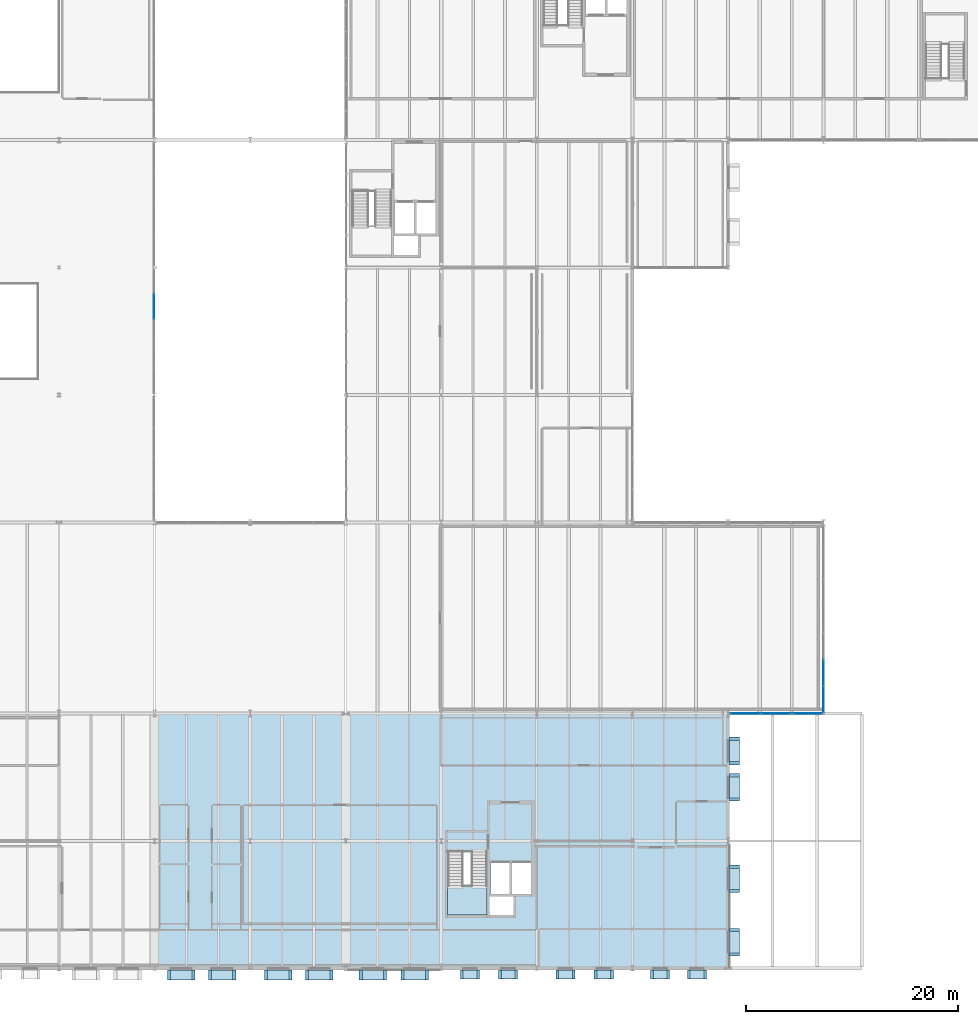
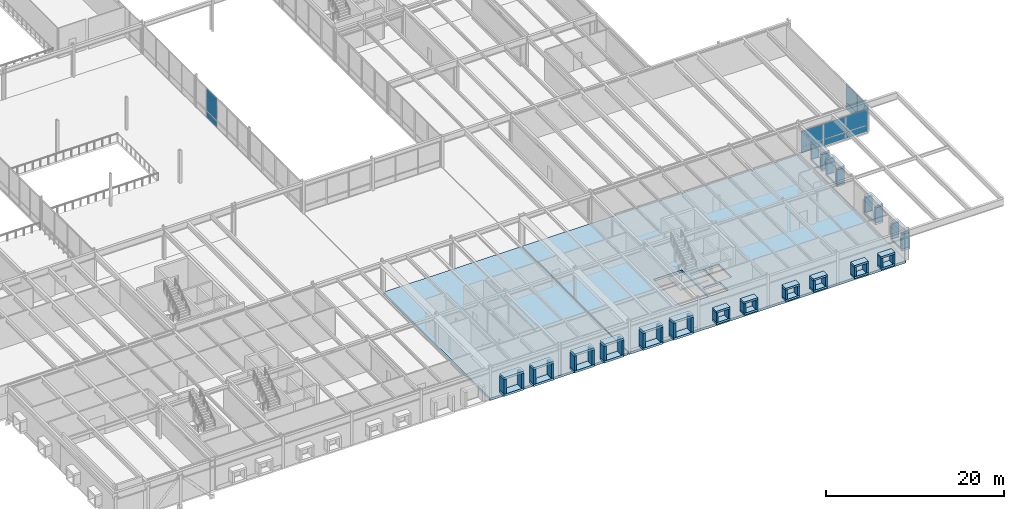
# One storey, part 91 of 115: 76 plates, 3 slabs, 4 elements without a shape of their own.
"""IFC4 building model written with IfcOpenShell, lengths in metres."""

from ifc_helpers import new_model, si_unit, direction, frame, origin, origin_2d, place, context, subcontext, project, spatial, polyline, rectangle, outline, extrude, material, layer, layer_set, type_object, element, aggregate, save


model = new_model("IFC4")

# Units and contexts
model_context = context("Model", 3, precision=1e-05, world=origin(), true_north=direction((0.0, 1.0)))
body_context = subcontext(model_context, "Body", "Model", "MODEL_VIEW")
ifc_project = project(units=[si_unit("LENGTHUNIT", "METRE"), si_unit("AREAUNIT", "SQUARE_METRE"), si_unit("VOLUMEUNIT", "CUBIC_METRE"), si_unit("PLANEANGLEUNIT", "RADIAN"), si_unit("MASSUNIT", "GRAM", prefix="KILO")], contexts=[model_context])

# Site, building, storey
site_placement = place(None, origin())
site = spatial("IfcSite", under=ifc_project, at=site_placement, CompositionType="ELEMENT")
building_placement = place(site_placement, origin())
building = spatial("IfcBuilding", under=site, at=building_placement, Name="Montelvaro Courts of Justice", CompositionType="ELEMENT")
storey_placement = place(building_placement, frame((0.0, 0.0, 9.89990234375)))
storey = spatial("IfcBuildingStorey", under=building, at=storey_placement, Name="L02", CompositionType="ELEMENT", Elevation=9.89990234375)

# Curtain wall, plates
ifc_material_1 = material(Name="Anodised aluminium EN AW-6063", Category="aluminium")
ifc_layer_1 = layer(ifc_material_1, 0.159912109375)
ifc_layer_set_1 = layer_set([ifc_layer_1], Name="Anodised aluminium EN AW-6063")
curtain_wall_type_1 = type_object("IfcCurtainWallType", Name="CurtainWall_24_1169x418", PredefinedType="USERDEFINED", material=ifc_layer_set_1)
curtain_wall_1_placement = place(storey_placement, origin())
curtain_wall_1 = element("IfcCurtainWall", 1, at=curtain_wall_1_placement, inside=storey, type_object=curtain_wall_type_1, Name="Curtain Wall CW-24 (L02)", ObjectType="CURTAIN WALL", PredefinedType="USERDEFINED")
ifc_material_2 = material(Name="Low-E solar control double glazing", Category="glass")
ifc_layer_2 = layer(ifc_material_2, 0.028076171875)
ifc_layer_set_2 = layer_set([ifc_layer_2], Name="Low-E solar control double glazing")
plate_type_1 = type_object("IfcPlateType", Name="CurtainWall_Glazed_Panel_28", PredefinedType="CURTAIN_PANEL", material=ifc_layer_set_2)
plate_1_placement = place(storey_placement, frame((80.949951171875, 62.342041015625, 0.0751953125), z_axis=(0.0, 0.0, 1.0), x_axis=(0.0, 1.0, 0.0)))
plate_1 = element("IfcPlate", 2, at=plate_1_placement, type_object=plate_type_1, Name="CW-24 panel 4.1", PredefinedType="CURTAIN_PANEL", context=body_context, shape_type="SweptSolid", body=[
    extrude(rectangle(XDim=2.281982421875, YDim=0.028076171875, at=origin_2d()), origin(), (0.0, 0.0, 1.0), 0.83740234375),
])
plate_2_placement = place(storey_placement, frame((80.949951171875, 62.342041015625, 0.987548828125), z_axis=(0.0, 0.0, 1.0), x_axis=(0.0, 1.0, 0.0)))
plate_2 = element("IfcPlate", 3, at=plate_2_placement, type_object=plate_type_1, Name="CW-24 panel 4.2", PredefinedType="CURTAIN_PANEL", context=body_context, shape_type="SweptSolid", body=[
    extrude(rectangle(XDim=2.281982421875, YDim=0.028076171875, at=origin_2d()), origin(), (0.0, 0.0, 1.0), 3.0576171875),
])
aggregate(curtain_wall_1, [plate_1, plate_2])

ifc_layer_3 = layer(ifc_material_1, 0.159912109375)
ifc_layer_set_3 = layer_set([ifc_layer_3], Name="Anodised aluminium EN AW-6063")
curtain_wall_type_2 = type_object("IfcCurtainWallType", Name="CurtainWall_25_879x418", PredefinedType="USERDEFINED", material=ifc_layer_set_3)
curtain_wall_2_placement = place(storey_placement, origin())
curtain_wall_2 = element("IfcCurtainWall", 4, at=curtain_wall_2_placement, inside=storey, type_object=curtain_wall_type_2, Name="Curtain Wall CW-25 (L02)", ObjectType="CURTAIN WALL", PredefinedType="USERDEFINED")
plate_3_placement = place(storey_placement, frame((136.6513671875, 24.0, 0.0751953125), z_axis=(0.0, 0.0, 1.0), x_axis=(1.0, 0.0, 0.0)))
plate_3 = element("IfcPlate", 5, at=plate_3_placement, type_object=plate_type_1, Name="CW-25 panel 1.1", PredefinedType="CURTAIN_PANEL", context=body_context, shape_type="SweptSolid", body=[
    extrude(rectangle(XDim=2.818603515625, YDim=0.028076171875, at=origin_2d()), origin(), (0.0, 0.0, 1.0), 0.83740234375),
])
plate_4_placement = place(storey_placement, frame((136.6513671875, 24.0, 0.987548828125), z_axis=(0.0, 0.0, 1.0), x_axis=(1.0, 0.0, 0.0)))
plate_4 = element("IfcPlate", 6, at=plate_4_placement, type_object=plate_type_1, Name="CW-25 panel 1.2", PredefinedType="CURTAIN_PANEL", context=body_context, shape_type="SweptSolid", body=[
    extrude(rectangle(XDim=2.818603515625, YDim=0.028076171875, at=origin_2d()), origin(), (0.0, 0.0, 1.0), 2.1044921875),
])
plate_5_placement = place(storey_placement, frame((139.5634765625, 24.0, 0.0751953125), z_axis=(0.0, 0.0, 1.0), x_axis=(1.0, 0.0, 0.0)))
plate_5 = element("IfcPlate", 7, at=plate_5_placement, type_object=plate_type_1, Name="CW-25 panel 2.1", PredefinedType="CURTAIN_PANEL", context=body_context, shape_type="SweptSolid", body=[
    extrude(rectangle(XDim=2.85595703125, YDim=0.028076171875, at=origin_2d()), origin(), (0.0, 0.0, 1.0), 0.83740234375),
])
plate_6_placement = place(storey_placement, frame((139.5634765625, 24.0, 0.987548828125), z_axis=(0.0, 0.0, 1.0), x_axis=(1.0, 0.0, 0.0)))
plate_6 = element("IfcPlate", 8, at=plate_6_placement, type_object=plate_type_1, Name="CW-25 panel 2.2", PredefinedType="CURTAIN_PANEL", context=body_context, shape_type="SweptSolid", body=[
    extrude(rectangle(XDim=2.85595703125, YDim=0.028076171875, at=origin_2d()), origin(), (0.0, 0.0, 1.0), 2.1044921875),
])
plate_7_placement = place(storey_placement, frame((142.475830078125, 24.0, 0.0751953125), z_axis=(0.0, 0.0, 1.0), x_axis=(1.0, 0.0, 0.0)))
plate_7 = element("IfcPlate", 9, at=plate_7_placement, type_object=plate_type_1, Name="CW-25 panel 3.1", PredefinedType="CURTAIN_PANEL", context=body_context, shape_type="SweptSolid", body=[
    extrude(rectangle(XDim=2.818603515625, YDim=0.028076171875, at=origin_2d()), origin(), (0.0, 0.0, 1.0), 0.83740234375),
])
plate_8_placement = place(storey_placement, frame((142.475830078125, 24.0, 0.987548828125), z_axis=(0.0, 0.0, 1.0), x_axis=(1.0, 0.0, 0.0)))
plate_8 = element("IfcPlate", 10, at=plate_8_placement, type_object=plate_type_1, Name="CW-25 panel 3.2", PredefinedType="CURTAIN_PANEL", context=body_context, shape_type="SweptSolid", body=[
    extrude(rectangle(XDim=2.818603515625, YDim=0.028076171875, at=origin_2d()), origin(), (0.0, 0.0, 1.0), 2.1044921875),
])
aggregate(curtain_wall_2, [plate_3, plate_4, plate_5, plate_6, plate_7, plate_8])

ifc_layer_4 = layer(ifc_material_1, 0.159912109375)
ifc_layer_set_4 = layer_set([ifc_layer_4], Name="Anodised aluminium EN AW-6063")
curtain_wall_type_3 = type_object("IfcCurtainWallType", Name="CurtainWall_29_1770x418", PredefinedType="USERDEFINED", material=ifc_layer_set_4)
curtain_wall_3_placement = place(storey_placement, origin())
curtain_wall_3 = element("IfcCurtainWall", 11, at=curtain_wall_3_placement, inside=storey, type_object=curtain_wall_type_3, Name="Curtain Wall CW-29 (L02)", ObjectType="CURTAIN WALL", PredefinedType="USERDEFINED")
plate_9_placement = place(storey_placement, frame((144.0, 25.31884765625, 0.06005859375), z_axis=(0.0, 0.0, 1.0), x_axis=(0.0, 1.0, 0.0)))
plate_9 = element("IfcPlate", 12, at=plate_9_placement, type_object=plate_type_1, Name="CW-29 panel 1.1", PredefinedType="CURTAIN_PANEL", context=body_context, shape_type="SweptSolid", body=[
    extrude(rectangle(XDim=2.437744140625, YDim=0.028076171875, at=origin_2d()), origin(), (0.0, 0.0, 1.0), 0.860107421875),
])
plate_10_placement = place(storey_placement, frame((144.0, 25.31884765625, 0.97998046875), z_axis=(0.0, 0.0, 1.0), x_axis=(0.0, 1.0, 0.0)))
plate_10 = element("IfcPlate", 13, at=plate_10_placement, type_object=plate_type_1, Name="CW-29 panel 1.2", PredefinedType="CURTAIN_PANEL", context=body_context, shape_type="SweptSolid", body=[
    extrude(rectangle(XDim=2.437744140625, YDim=0.028076171875, at=origin_2d()), origin(), (0.0, 0.0, 1.0), 2.52001953125),
])
plate_11_placement = place(storey_placement, frame((144.0, 27.831787109375, 0.06005859375), z_axis=(0.0, 0.0, 1.0), x_axis=(0.0, 1.0, 0.0)))
plate_11 = element("IfcPlate", 14, at=plate_11_placement, type_object=plate_type_1, Name="CW-29 panel 2.1", PredefinedType="CURTAIN_PANEL", context=body_context, shape_type="SweptSolid", body=[
    extrude(rectangle(XDim=2.4677734375, YDim=0.028076171875, at=origin_2d()), origin(), (0.0, 0.0, 1.0), 0.860107421875),
])
plate_12_placement = place(storey_placement, frame((144.0, 27.831787109375, 0.97998046875), z_axis=(0.0, 0.0, 1.0), x_axis=(0.0, 1.0, 0.0)))
plate_12 = element("IfcPlate", 15, at=plate_12_placement, type_object=plate_type_1, Name="CW-29 panel 2.2", PredefinedType="CURTAIN_PANEL", context=body_context, shape_type="SweptSolid", body=[
    extrude(rectangle(XDim=2.4677734375, YDim=0.028076171875, at=origin_2d()), origin(), (0.0, 0.0, 1.0), 2.52001953125),
])
aggregate(curtain_wall_3, [plate_9, plate_10, plate_11, plate_12])

# Slabs
ifc_material_3 = material(Name="Concrete C35/45", Category="concrete")
ifc_layer_5 = layer(ifc_material_3, 0.320068359375)
ifc_layer_set_5 = layer_set([ifc_layer_5], Name="Concrete C35/45")
slab_type_1 = type_object("IfcSlabType", Name="FloorSlab_V5_320", PredefinedType="FLOOR", material=ifc_layer_set_5)
slab_1_placement = place(storey_placement, frame((0.0, 0.0, -0.31982421875)))
element("IfcSlab", 16, at=slab_1_placement, inside=storey, type_object=slab_type_1, Name="Structural Slab SF-05 L02", PredefinedType="FLOOR", context=body_context, shape_type="SweptSolid", body=[
    extrude(outline(polyline([(81.050048828125, 0.0), (98.949951171875, 0.0), (98.949951171875, 24.0), (81.050048828125, 24.0), (81.050048828125, 0.0)])), origin(), (0.0, 0.0, 1.0), 0.31982421875),
])
slab_2_placement = place(storey_placement, frame((0.0, 0.0, -0.31982421875)))
element("IfcSlab", 17, at=slab_2_placement, inside=storey, type_object=slab_type_1, Name="Structural Slab SF-05 L02", PredefinedType="FLOOR", context=body_context, shape_type="SweptSolid", body=[
    extrude(outline(polyline([(99.050048828125, 0.0), (135.0, 0.0), (135.0, 24.0), (99.050048828125, 24.0), (99.050048828125, 0.0)]), holes=[polyline([(108.60009765625, 5.0), (112.300048828125, 5.0), (112.300048828125, 11.0), (108.60009765625, 11.0), (108.60009765625, 5.0)]), polyline([(112.5400390625, 5.0), (114.800048828125, 5.0), (114.800048828125, 6.760009765625), (112.5400390625, 6.760009765625), (112.5400390625, 5.0)]), polyline([(112.64990234375, 7.0), (114.5, 7.0), (114.5, 9.89990234375), (112.64990234375, 9.89990234375), (112.64990234375, 7.0)]), polyline([(114.60009765625, 7.0), (116.449951171875, 7.0), (116.449951171875, 9.89990234375), (114.60009765625, 9.89990234375), (114.60009765625, 7.0)])]), origin(), (0.0, 0.0, 1.0), 0.31982421875),
])

# Plates
ifc_material_4 = material(Name="White mineral precast concrete C45/55", Category="concrete")
ifc_layer_6 = layer(ifc_material_4, 0.25)
ifc_layer_set_6 = layer_set([ifc_layer_6], Name="White mineral precast concrete C45/55")
plate_type_2 = type_object("IfcPlateType", Name="PrecastSquareFrame_250x850", PredefinedType="SHEET", material=ifc_layer_set_6)
for number, where, z_axis, x_axis, name in (
    (18, (110.702880859375, -0.570068359375, 2.2001953125), (0.0, 0.0, 1.0), (1.0, 0.0, 0.0), "Graduated Square Window Frame PF-03 W-L02-127 TOP"),
    (19, (110.702880859375, -0.570068359375, 0.650146484375), (0.0, 0.0, 1.0), (1.0, 0.0, 0.0), "Graduated Square Window Frame PF-03 W-L02-127 BOT"),
):
    element("IfcPlate", number, at=place(storey_placement, frame(where, z_axis=z_axis, x_axis=x_axis)), inside=storey, type_object=plate_type_2, Name=name, PredefinedType="SHEET", context=body_context, shape_type="SweptSolid", body=[
        extrude(rectangle(XDim=1.800048828125, YDim=0.860107421875, at=origin_2d()), origin(), (0.0, 0.0, 1.0), 0.25),
    ])
for number, where, z_axis, x_axis, name in (
    (20, (109.927978515625, -0.570068359375, 0.89990234375), (0.0, 0.0, 1.0), (1.0, 0.0, 0.0), "Graduated Square Window Frame PF-03 W-L02-127 L"),
    (21, (111.47802734375, -0.570068359375, 0.89990234375), (0.0, 0.0, 1.0), (1.0, 0.0, 0.0), "Graduated Square Window Frame PF-03 W-L02-127 R"),
):
    element("IfcPlate", number, at=place(storey_placement, frame(where, z_axis=z_axis, x_axis=x_axis)), inside=storey, type_object=plate_type_2, Name=name, PredefinedType="SHEET", context=body_context, shape_type="SweptSolid", body=[
        extrude(rectangle(XDim=0.25, YDim=0.860107421875, at=origin_2d()), origin(), (0.0, 0.0, 1.0), 1.300048828125),
    ])
for number, where, z_axis, x_axis, name in (
    (22, (114.297119140625, -0.570068359375, 2.2001953125), (0.0, 0.0, 1.0), (1.0, 0.0, 0.0), "Graduated Square Window Frame PF-03 W-L02-128 TOP"),
    (23, (114.297119140625, -0.570068359375, 0.650146484375), (0.0, 0.0, 1.0), (1.0, 0.0, 0.0), "Graduated Square Window Frame PF-03 W-L02-128 BOT"),
):
    element("IfcPlate", number, at=place(storey_placement, frame(where, z_axis=z_axis, x_axis=x_axis)), inside=storey, type_object=plate_type_2, Name=name, PredefinedType="SHEET", context=body_context, shape_type="SweptSolid", body=[
        extrude(rectangle(XDim=1.800048828125, YDim=0.860107421875, at=origin_2d()), origin(), (0.0, 0.0, 1.0), 0.25),
    ])
for number, where, z_axis, x_axis, name in (
    (24, (113.52197265625, -0.570068359375, 0.89990234375), (0.0, 0.0, 1.0), (1.0, 0.0, 0.0), "Graduated Square Window Frame PF-03 W-L02-128 L"),
    (25, (115.072021484375, -0.570068359375, 0.89990234375), (0.0, 0.0, 1.0), (1.0, 0.0, 0.0), "Graduated Square Window Frame PF-03 W-L02-128 R"),
):
    element("IfcPlate", number, at=place(storey_placement, frame(where, z_axis=z_axis, x_axis=x_axis)), inside=storey, type_object=plate_type_2, Name=name, PredefinedType="SHEET", context=body_context, shape_type="SweptSolid", body=[
        extrude(rectangle(XDim=0.25, YDim=0.860107421875, at=origin_2d()), origin(), (0.0, 0.0, 1.0), 1.300048828125),
    ])
for number, where, z_axis, x_axis, name in (
    (26, (119.702880859375, -0.570068359375, 2.2001953125), (0.0, 0.0, 1.0), (1.0, 0.0, 0.0), "Graduated Square Window Frame PF-03 W-L02-129 TOP"),
    (27, (119.702880859375, -0.570068359375, 0.650146484375), (0.0, 0.0, 1.0), (1.0, 0.0, 0.0), "Graduated Square Window Frame PF-03 W-L02-129 BOT"),
):
    element("IfcPlate", number, at=place(storey_placement, frame(where, z_axis=z_axis, x_axis=x_axis)), inside=storey, type_object=plate_type_2, Name=name, PredefinedType="SHEET", context=body_context, shape_type="SweptSolid", body=[
        extrude(rectangle(XDim=1.800048828125, YDim=0.860107421875, at=origin_2d()), origin(), (0.0, 0.0, 1.0), 0.25),
    ])
for number, where, z_axis, x_axis, name in (
    (28, (118.927978515625, -0.570068359375, 0.89990234375), (0.0, 0.0, 1.0), (1.0, 0.0, 0.0), "Graduated Square Window Frame PF-03 W-L02-129 L"),
    (29, (120.47802734375, -0.570068359375, 0.89990234375), (0.0, 0.0, 1.0), (1.0, 0.0, 0.0), "Graduated Square Window Frame PF-03 W-L02-129 R"),
):
    element("IfcPlate", number, at=place(storey_placement, frame(where, z_axis=z_axis, x_axis=x_axis)), inside=storey, type_object=plate_type_2, Name=name, PredefinedType="SHEET", context=body_context, shape_type="SweptSolid", body=[
        extrude(rectangle(XDim=0.25, YDim=0.860107421875, at=origin_2d()), origin(), (0.0, 0.0, 1.0), 1.300048828125),
    ])
for number, where, z_axis, x_axis, name in (
    (30, (123.297119140625, -0.570068359375, 2.2001953125), (0.0, 0.0, 1.0), (1.0, 0.0, 0.0), "Graduated Square Window Frame PF-03 W-L02-130 TOP"),
    (31, (123.297119140625, -0.570068359375, 0.650146484375), (0.0, 0.0, 1.0), (1.0, 0.0, 0.0), "Graduated Square Window Frame PF-03 W-L02-130 BOT"),
):
    element("IfcPlate", number, at=place(storey_placement, frame(where, z_axis=z_axis, x_axis=x_axis)), inside=storey, type_object=plate_type_2, Name=name, PredefinedType="SHEET", context=body_context, shape_type="SweptSolid", body=[
        extrude(rectangle(XDim=1.800048828125, YDim=0.860107421875, at=origin_2d()), origin(), (0.0, 0.0, 1.0), 0.25),
    ])
for number, where, z_axis, x_axis, name in (
    (32, (122.52197265625, -0.570068359375, 0.89990234375), (0.0, 0.0, 1.0), (1.0, 0.0, 0.0), "Graduated Square Window Frame PF-03 W-L02-130 L"),
    (33, (124.072021484375, -0.570068359375, 0.89990234375), (0.0, 0.0, 1.0), (1.0, 0.0, 0.0), "Graduated Square Window Frame PF-03 W-L02-130 R"),
):
    element("IfcPlate", number, at=place(storey_placement, frame(where, z_axis=z_axis, x_axis=x_axis)), inside=storey, type_object=plate_type_2, Name=name, PredefinedType="SHEET", context=body_context, shape_type="SweptSolid", body=[
        extrude(rectangle(XDim=0.25, YDim=0.860107421875, at=origin_2d()), origin(), (0.0, 0.0, 1.0), 1.300048828125),
    ])
for number, where, z_axis, x_axis, name in (
    (34, (128.613037109375, -0.570068359375, 2.2001953125), (0.0, 0.0, 1.0), (1.0, 0.0, 0.0), "Graduated Square Window Frame PF-03 W-L02-131 TOP"),
    (35, (128.613037109375, -0.570068359375, 0.650146484375), (0.0, 0.0, 1.0), (1.0, 0.0, 0.0), "Graduated Square Window Frame PF-03 W-L02-131 BOT"),
):
    element("IfcPlate", number, at=place(storey_placement, frame(where, z_axis=z_axis, x_axis=x_axis)), inside=storey, type_object=plate_type_2, Name=name, PredefinedType="SHEET", context=body_context, shape_type="SweptSolid", body=[
        extrude(rectangle(XDim=1.800048828125, YDim=0.860107421875, at=origin_2d()), origin(), (0.0, 0.0, 1.0), 0.25),
    ])
for number, where, z_axis, x_axis, name in (
    (36, (127.837890625, -0.570068359375, 0.89990234375), (0.0, 0.0, 1.0), (1.0, 0.0, 0.0), "Graduated Square Window Frame PF-03 W-L02-131 L"),
    (37, (129.387939453125, -0.570068359375, 0.89990234375), (0.0, 0.0, 1.0), (1.0, 0.0, 0.0), "Graduated Square Window Frame PF-03 W-L02-131 R"),
):
    element("IfcPlate", number, at=place(storey_placement, frame(where, z_axis=z_axis, x_axis=x_axis)), inside=storey, type_object=plate_type_2, Name=name, PredefinedType="SHEET", context=body_context, shape_type="SweptSolid", body=[
        extrude(rectangle(XDim=0.25, YDim=0.860107421875, at=origin_2d()), origin(), (0.0, 0.0, 1.0), 1.300048828125),
    ])
for number, where, z_axis, x_axis, name in (
    (38, (132.0869140625, -0.570068359375, 2.2001953125), (0.0, 0.0, 1.0), (1.0, 0.0, 0.0), "Graduated Square Window Frame PF-03 W-L02-132 TOP"),
    (39, (132.0869140625, -0.570068359375, 0.650146484375), (0.0, 0.0, 1.0), (1.0, 0.0, 0.0), "Graduated Square Window Frame PF-03 W-L02-132 BOT"),
):
    element("IfcPlate", number, at=place(storey_placement, frame(where, z_axis=z_axis, x_axis=x_axis)), inside=storey, type_object=plate_type_2, Name=name, PredefinedType="SHEET", context=body_context, shape_type="SweptSolid", body=[
        extrude(rectangle(XDim=1.800048828125, YDim=0.860107421875, at=origin_2d()), origin(), (0.0, 0.0, 1.0), 0.25),
    ])
for number, where, z_axis, x_axis, name in (
    (40, (131.31201171875, -0.570068359375, 0.89990234375), (0.0, 0.0, 1.0), (1.0, 0.0, 0.0), "Graduated Square Window Frame PF-03 W-L02-132 L"),
    (41, (132.862060546875, -0.570068359375, 0.89990234375), (0.0, 0.0, 1.0), (1.0, 0.0, 0.0), "Graduated Square Window Frame PF-03 W-L02-132 R"),
):
    element("IfcPlate", number, at=place(storey_placement, frame(where, z_axis=z_axis, x_axis=x_axis)), inside=storey, type_object=plate_type_2, Name=name, PredefinedType="SHEET", context=body_context, shape_type="SweptSolid", body=[
        extrude(rectangle(XDim=0.25, YDim=0.860107421875, at=origin_2d()), origin(), (0.0, 0.0, 1.0), 1.300048828125),
    ])
ifc_layer_7 = layer(ifc_material_4, 0.300048828125)
ifc_layer_set_7 = layer_set([ifc_layer_7], Name="White mineral precast concrete C45/55")
plate_type_3 = type_object("IfcPlateType", Name="PrecastSquareFrame_300x950", PredefinedType="SHEET", material=ifc_layer_set_7)
for number, where, z_axis, x_axis, name in (
    (42, (83.506103515625, -0.6201171875, 2.80029296875), (0.0, 0.0, 1.0), (1.0, 0.0, 0.0), "Graduated Square Window Frame PF-02 W-L02-121 TOP"),
    (43, (83.506103515625, -0.6201171875, 0.5), (0.0, 0.0, 1.0), (1.0, 0.0, 0.0), "Graduated Square Window Frame PF-02 W-L02-121 BOT"),
):
    element("IfcPlate", number, at=place(storey_placement, frame(where, z_axis=z_axis, x_axis=x_axis)), inside=storey, type_object=plate_type_3, Name=name, PredefinedType="SHEET", context=body_context, shape_type="SweptSolid", body=[
        extrude(rectangle(XDim=2.60009765625, YDim=0.9599609375, at=origin_2d()), origin(), (0.0, 0.0, 1.0), 0.300048828125),
    ])
for number, where, z_axis, x_axis, name in (
    (44, (82.35595703125, -0.6201171875, 0.800048828125), (0.0, 0.0, 1.0), (1.0, 0.0, 0.0), "Graduated Square Window Frame PF-02 W-L02-121 L"),
    (45, (84.656005859375, -0.6201171875, 0.800048828125), (0.0, 0.0, 1.0), (1.0, 0.0, 0.0), "Graduated Square Window Frame PF-02 W-L02-121 R"),
):
    element("IfcPlate", number, at=place(storey_placement, frame(where, z_axis=z_axis, x_axis=x_axis)), inside=storey, type_object=plate_type_3, Name=name, PredefinedType="SHEET", context=body_context, shape_type="SweptSolid", body=[
        extrude(rectangle(XDim=0.300048828125, YDim=0.9599609375, at=origin_2d()), origin(), (0.0, 0.0, 1.0), 2.0),
    ])
for number, where, z_axis, x_axis, name in (
    (46, (87.35400390625, -0.6201171875, 2.80029296875), (0.0, 0.0, 1.0), (1.0, 0.0, 0.0), "Graduated Square Window Frame PF-02 W-L02-122 TOP"),
    (47, (87.35400390625, -0.6201171875, 0.5), (0.0, 0.0, 1.0), (1.0, 0.0, 0.0), "Graduated Square Window Frame PF-02 W-L02-122 BOT"),
):
    element("IfcPlate", number, at=place(storey_placement, frame(where, z_axis=z_axis, x_axis=x_axis)), inside=storey, type_object=plate_type_3, Name=name, PredefinedType="SHEET", context=body_context, shape_type="SweptSolid", body=[
        extrude(rectangle(XDim=2.60009765625, YDim=0.9599609375, at=origin_2d()), origin(), (0.0, 0.0, 1.0), 0.300048828125),
    ])
for number, where, z_axis, x_axis, name in (
    (48, (86.2041015625, -0.6201171875, 0.800048828125), (0.0, 0.0, 1.0), (1.0, 0.0, 0.0), "Graduated Square Window Frame PF-02 W-L02-122 L"),
    (49, (88.50390625, -0.6201171875, 0.800048828125), (0.0, 0.0, 1.0), (1.0, 0.0, 0.0), "Graduated Square Window Frame PF-02 W-L02-122 R"),
):
    element("IfcPlate", number, at=place(storey_placement, frame(where, z_axis=z_axis, x_axis=x_axis)), inside=storey, type_object=plate_type_3, Name=name, PredefinedType="SHEET", context=body_context, shape_type="SweptSolid", body=[
        extrude(rectangle(XDim=0.300048828125, YDim=0.9599609375, at=origin_2d()), origin(), (0.0, 0.0, 1.0), 2.0),
    ])
for number, where, z_axis, x_axis, name in (
    (50, (92.64599609375, -0.6201171875, 2.80029296875), (0.0, 0.0, 1.0), (1.0, 0.0, 0.0), "Graduated Square Window Frame PF-02 W-L02-123 TOP"),
    (51, (92.64599609375, -0.6201171875, 0.5), (0.0, 0.0, 1.0), (1.0, 0.0, 0.0), "Graduated Square Window Frame PF-02 W-L02-123 BOT"),
):
    element("IfcPlate", number, at=place(storey_placement, frame(where, z_axis=z_axis, x_axis=x_axis)), inside=storey, type_object=plate_type_3, Name=name, PredefinedType="SHEET", context=body_context, shape_type="SweptSolid", body=[
        extrude(rectangle(XDim=2.60009765625, YDim=0.9599609375, at=origin_2d()), origin(), (0.0, 0.0, 1.0), 0.300048828125),
    ])
for number, where, z_axis, x_axis, name in (
    (52, (91.49609375, -0.6201171875, 0.800048828125), (0.0, 0.0, 1.0), (1.0, 0.0, 0.0), "Graduated Square Window Frame PF-02 W-L02-123 L"),
    (53, (93.7958984375, -0.6201171875, 0.800048828125), (0.0, 0.0, 1.0), (1.0, 0.0, 0.0), "Graduated Square Window Frame PF-02 W-L02-123 R"),
):
    element("IfcPlate", number, at=place(storey_placement, frame(where, z_axis=z_axis, x_axis=x_axis)), inside=storey, type_object=plate_type_3, Name=name, PredefinedType="SHEET", context=body_context, shape_type="SweptSolid", body=[
        extrude(rectangle(XDim=0.300048828125, YDim=0.9599609375, at=origin_2d()), origin(), (0.0, 0.0, 1.0), 2.0),
    ])
for number, where, z_axis, x_axis, name in (
    (54, (96.493896484375, -0.6201171875, 2.80029296875), (0.0, 0.0, 1.0), (1.0, 0.0, 0.0), "Graduated Square Window Frame PF-02 W-L02-124 TOP"),
    (55, (96.493896484375, -0.6201171875, 0.5), (0.0, 0.0, 1.0), (1.0, 0.0, 0.0), "Graduated Square Window Frame PF-02 W-L02-124 BOT"),
):
    element("IfcPlate", number, at=place(storey_placement, frame(where, z_axis=z_axis, x_axis=x_axis)), inside=storey, type_object=plate_type_3, Name=name, PredefinedType="SHEET", context=body_context, shape_type="SweptSolid", body=[
        extrude(rectangle(XDim=2.60009765625, YDim=0.9599609375, at=origin_2d()), origin(), (0.0, 0.0, 1.0), 0.300048828125),
    ])
for number, where, z_axis, x_axis, name in (
    (56, (95.343994140625, -0.6201171875, 0.800048828125), (0.0, 0.0, 1.0), (1.0, 0.0, 0.0), "Graduated Square Window Frame PF-02 W-L02-124 L"),
    (57, (97.64404296875, -0.6201171875, 0.800048828125), (0.0, 0.0, 1.0), (1.0, 0.0, 0.0), "Graduated Square Window Frame PF-02 W-L02-124 R"),
):
    element("IfcPlate", number, at=place(storey_placement, frame(where, z_axis=z_axis, x_axis=x_axis)), inside=storey, type_object=plate_type_3, Name=name, PredefinedType="SHEET", context=body_context, shape_type="SweptSolid", body=[
        extrude(rectangle(XDim=0.300048828125, YDim=0.9599609375, at=origin_2d()), origin(), (0.0, 0.0, 1.0), 2.0),
    ])
for number, where, z_axis, x_axis, name in (
    (58, (101.56005859375, -0.6201171875, 2.80029296875), (0.0, 0.0, 1.0), (1.0, 0.0, 0.0), "Graduated Square Window Frame PF-02 W-L02-125 TOP"),
    (59, (101.56005859375, -0.6201171875, 0.5), (0.0, 0.0, 1.0), (1.0, 0.0, 0.0), "Graduated Square Window Frame PF-02 W-L02-125 BOT"),
):
    element("IfcPlate", number, at=place(storey_placement, frame(where, z_axis=z_axis, x_axis=x_axis)), inside=storey, type_object=plate_type_3, Name=name, PredefinedType="SHEET", context=body_context, shape_type="SweptSolid", body=[
        extrude(rectangle(XDim=2.60009765625, YDim=0.9599609375, at=origin_2d()), origin(), (0.0, 0.0, 1.0), 0.300048828125),
    ])
for number, where, z_axis, x_axis, name in (
    (60, (100.409912109375, -0.6201171875, 0.800048828125), (0.0, 0.0, 1.0), (1.0, 0.0, 0.0), "Graduated Square Window Frame PF-02 W-L02-125 L"),
    (61, (102.7099609375, -0.6201171875, 0.800048828125), (0.0, 0.0, 1.0), (1.0, 0.0, 0.0), "Graduated Square Window Frame PF-02 W-L02-125 R"),
):
    element("IfcPlate", number, at=place(storey_placement, frame(where, z_axis=z_axis, x_axis=x_axis)), inside=storey, type_object=plate_type_3, Name=name, PredefinedType="SHEET", context=body_context, shape_type="SweptSolid", body=[
        extrude(rectangle(XDim=0.300048828125, YDim=0.9599609375, at=origin_2d()), origin(), (0.0, 0.0, 1.0), 2.0),
    ])
for number, where, z_axis, x_axis, name in (
    (62, (105.489990234375, -0.6201171875, 2.80029296875), (0.0, 0.0, 1.0), (1.0, 0.0, 0.0), "Graduated Square Window Frame PF-02 W-L02-126 TOP"),
    (63, (105.489990234375, -0.6201171875, 0.5), (0.0, 0.0, 1.0), (1.0, 0.0, 0.0), "Graduated Square Window Frame PF-02 W-L02-126 BOT"),
):
    element("IfcPlate", number, at=place(storey_placement, frame(where, z_axis=z_axis, x_axis=x_axis)), inside=storey, type_object=plate_type_3, Name=name, PredefinedType="SHEET", context=body_context, shape_type="SweptSolid", body=[
        extrude(rectangle(XDim=2.60009765625, YDim=0.9599609375, at=origin_2d()), origin(), (0.0, 0.0, 1.0), 0.300048828125),
    ])
for number, where, z_axis, x_axis, name in (
    (64, (104.340087890625, -0.6201171875, 0.800048828125), (0.0, 0.0, 1.0), (1.0, 0.0, 0.0), "Graduated Square Window Frame PF-02 W-L02-126 L"),
    (65, (106.639892578125, -0.6201171875, 0.800048828125), (0.0, 0.0, 1.0), (1.0, 0.0, 0.0), "Graduated Square Window Frame PF-02 W-L02-126 R"),
):
    element("IfcPlate", number, at=place(storey_placement, frame(where, z_axis=z_axis, x_axis=x_axis)), inside=storey, type_object=plate_type_3, Name=name, PredefinedType="SHEET", context=body_context, shape_type="SweptSolid", body=[
        extrude(rectangle(XDim=0.300048828125, YDim=0.9599609375, at=origin_2d()), origin(), (0.0, 0.0, 1.0), 2.0),
    ])
for number, where, z_axis, x_axis, name in (
    (66, (135.6201171875, 2.4599609375, 2.80029296875), (0.0, 0.0, 1.0), (0.0, 1.0, 0.0), "Graduated Square Window Frame PF-02 W-L02-133 TOP"),
    (67, (135.6201171875, 2.4599609375, 0.5), (0.0, 0.0, 1.0), (0.0, 1.0, 0.0), "Graduated Square Window Frame PF-02 W-L02-133 BOT"),
):
    element("IfcPlate", number, at=place(storey_placement, frame(where, z_axis=z_axis, x_axis=x_axis)), inside=storey, type_object=plate_type_3, Name=name, PredefinedType="SHEET", context=body_context, shape_type="SweptSolid", body=[
        extrude(rectangle(XDim=2.60009765625, YDim=0.9599609375, at=origin_2d()), origin(), (0.0, 0.0, 1.0), 0.300048828125),
    ])
for number, where, z_axis, x_axis, name in (
    (68, (135.6201171875, 1.31005859375, 0.800048828125), (0.0, 0.0, 1.0), (0.0, 1.0, 0.0), "Graduated Square Window Frame PF-02 W-L02-133 L"),
    (69, (135.6201171875, 3.610107421875, 0.800048828125), (0.0, 0.0, 1.0), (0.0, 1.0, 0.0), "Graduated Square Window Frame PF-02 W-L02-133 R"),
):
    element("IfcPlate", number, at=place(storey_placement, frame(where, z_axis=z_axis, x_axis=x_axis)), inside=storey, type_object=plate_type_3, Name=name, PredefinedType="SHEET", context=body_context, shape_type="SweptSolid", body=[
        extrude(rectangle(XDim=0.300048828125, YDim=0.9599609375, at=origin_2d()), origin(), (0.0, 0.0, 1.0), 2.0),
    ])
for number, where, z_axis, x_axis, name in (
    (70, (135.6201171875, 8.419921875, 2.80029296875), (0.0, 0.0, 1.0), (0.0, 1.0, 0.0), "Graduated Square Window Frame PF-02 W-L02-134 TOP"),
    (71, (135.6201171875, 8.419921875, 0.5), (0.0, 0.0, 1.0), (0.0, 1.0, 0.0), "Graduated Square Window Frame PF-02 W-L02-134 BOT"),
):
    element("IfcPlate", number, at=place(storey_placement, frame(where, z_axis=z_axis, x_axis=x_axis)), inside=storey, type_object=plate_type_3, Name=name, PredefinedType="SHEET", context=body_context, shape_type="SweptSolid", body=[
        extrude(rectangle(XDim=2.60009765625, YDim=0.9599609375, at=origin_2d()), origin(), (0.0, 0.0, 1.0), 0.300048828125),
    ])
for number, where, z_axis, x_axis, name in (
    (72, (135.6201171875, 7.27001953125, 0.800048828125), (0.0, 0.0, 1.0), (0.0, 1.0, 0.0), "Graduated Square Window Frame PF-02 W-L02-134 L"),
    (73, (135.6201171875, 9.570068359375, 0.800048828125), (0.0, 0.0, 1.0), (0.0, 1.0, 0.0), "Graduated Square Window Frame PF-02 W-L02-134 R"),
):
    element("IfcPlate", number, at=place(storey_placement, frame(where, z_axis=z_axis, x_axis=x_axis)), inside=storey, type_object=plate_type_3, Name=name, PredefinedType="SHEET", context=body_context, shape_type="SweptSolid", body=[
        extrude(rectangle(XDim=0.300048828125, YDim=0.9599609375, at=origin_2d()), origin(), (0.0, 0.0, 1.0), 2.0),
    ])
for number, where, z_axis, x_axis, name in (
    (74, (135.6201171875, 17.0400390625, 2.80029296875), (0.0, 0.0, 1.0), (0.0, 1.0, 0.0), "Graduated Square Window Frame PF-02 W-L02-135 TOP"),
    (75, (135.6201171875, 17.0400390625, 0.5), (0.0, 0.0, 1.0), (0.0, 1.0, 0.0), "Graduated Square Window Frame PF-02 W-L02-135 BOT"),
):
    element("IfcPlate", number, at=place(storey_placement, frame(where, z_axis=z_axis, x_axis=x_axis)), inside=storey, type_object=plate_type_3, Name=name, PredefinedType="SHEET", context=body_context, shape_type="SweptSolid", body=[
        extrude(rectangle(XDim=2.60009765625, YDim=0.9599609375, at=origin_2d()), origin(), (0.0, 0.0, 1.0), 0.300048828125),
    ])
for number, where, z_axis, x_axis, name in (
    (76, (135.6201171875, 15.889892578125, 0.800048828125), (0.0, 0.0, 1.0), (0.0, 1.0, 0.0), "Graduated Square Window Frame PF-02 W-L02-135 L"),
    (77, (135.6201171875, 18.18994140625, 0.800048828125), (0.0, 0.0, 1.0), (0.0, 1.0, 0.0), "Graduated Square Window Frame PF-02 W-L02-135 R"),
):
    element("IfcPlate", number, at=place(storey_placement, frame(where, z_axis=z_axis, x_axis=x_axis)), inside=storey, type_object=plate_type_3, Name=name, PredefinedType="SHEET", context=body_context, shape_type="SweptSolid", body=[
        extrude(rectangle(XDim=0.300048828125, YDim=0.9599609375, at=origin_2d()), origin(), (0.0, 0.0, 1.0), 2.0),
    ])
for number, where, z_axis, x_axis, name in (
    (78, (135.6201171875, 20.469970703125, 2.80029296875), (0.0, 0.0, 1.0), (0.0, 1.0, 0.0), "Graduated Square Window Frame PF-02 W-L02-136 TOP"),
    (79, (135.6201171875, 20.469970703125, 0.5), (0.0, 0.0, 1.0), (0.0, 1.0, 0.0), "Graduated Square Window Frame PF-02 W-L02-136 BOT"),
):
    element("IfcPlate", number, at=place(storey_placement, frame(where, z_axis=z_axis, x_axis=x_axis)), inside=storey, type_object=plate_type_3, Name=name, PredefinedType="SHEET", context=body_context, shape_type="SweptSolid", body=[
        extrude(rectangle(XDim=2.60009765625, YDim=0.9599609375, at=origin_2d()), origin(), (0.0, 0.0, 1.0), 0.300048828125),
    ])
for number, where, z_axis, x_axis, name in (
    (80, (135.6201171875, 19.320068359375, 0.800048828125), (0.0, 0.0, 1.0), (0.0, 1.0, 0.0), "Graduated Square Window Frame PF-02 W-L02-136 L"),
    (81, (135.6201171875, 21.6201171875, 0.800048828125), (0.0, 0.0, 1.0), (0.0, 1.0, 0.0), "Graduated Square Window Frame PF-02 W-L02-136 R"),
):
    element("IfcPlate", number, at=place(storey_placement, frame(where, z_axis=z_axis, x_axis=x_axis)), inside=storey, type_object=plate_type_3, Name=name, PredefinedType="SHEET", context=body_context, shape_type="SweptSolid", body=[
        extrude(rectangle(XDim=0.300048828125, YDim=0.9599609375, at=origin_2d()), origin(), (0.0, 0.0, 1.0), 2.0),
    ])

# Stair, slab
stair_type = type_object("IfcStairType", Name="ProtectedStair_145", PredefinedType="HALF_TURN_STAIR", material=ifc_material_3)
stair_placement = place(storey_placement, origin())
stair = element("IfcStair", 82, at=stair_placement, inside=storey, type_object=stair_type, Name="Protected Stair ST-K2-L02", PredefinedType="HALF_TURN_STAIR")
ifc_layer_8 = layer(ifc_material_3, 0.199951171875)
ifc_layer_set_8 = layer_set([ifc_layer_8], Name="Concrete C35/45")
slab_type_2 = type_object("IfcSlabType", Name="StairLanding_200", PredefinedType="LANDING", material=ifc_layer_set_8)
slab_3_placement = place(storey_placement, frame((0.0, 0.0, 2.050048828125)))
slab_3 = element("IfcSlab", 83, at=slab_3_placement, type_object=slab_type_2, Name="ST-K2-L02 landing 1", PredefinedType="LANDING", context=body_context, shape_type="SweptSolid", body=[
    extrude(outline(polyline([(108.60009765625, 5.0), (112.300048828125, 5.0), (112.300048828125, 7.735107421875), (108.60009765625, 7.735107421875), (108.60009765625, 5.0)])), origin(), (0.0, 0.0, 1.0), 0.199951171875),
])
aggregate(stair, [slab_3])

save(model, "model.ifc")
